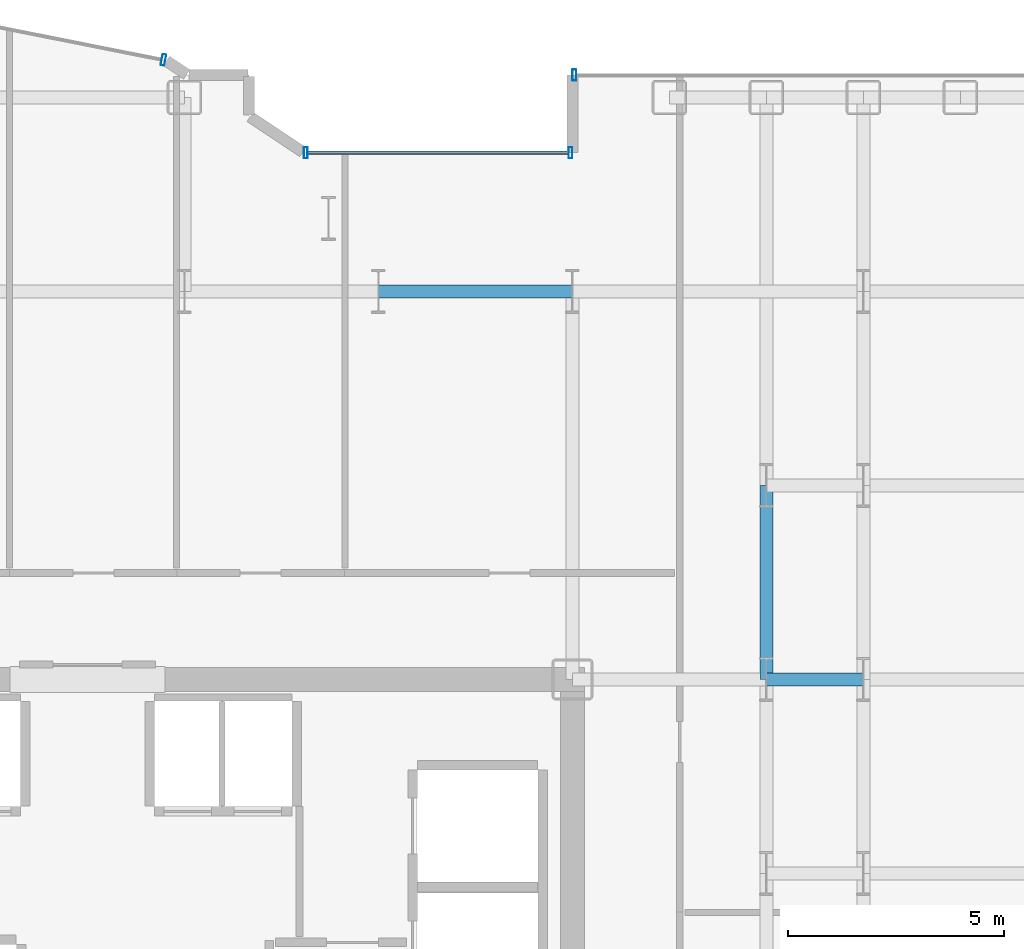
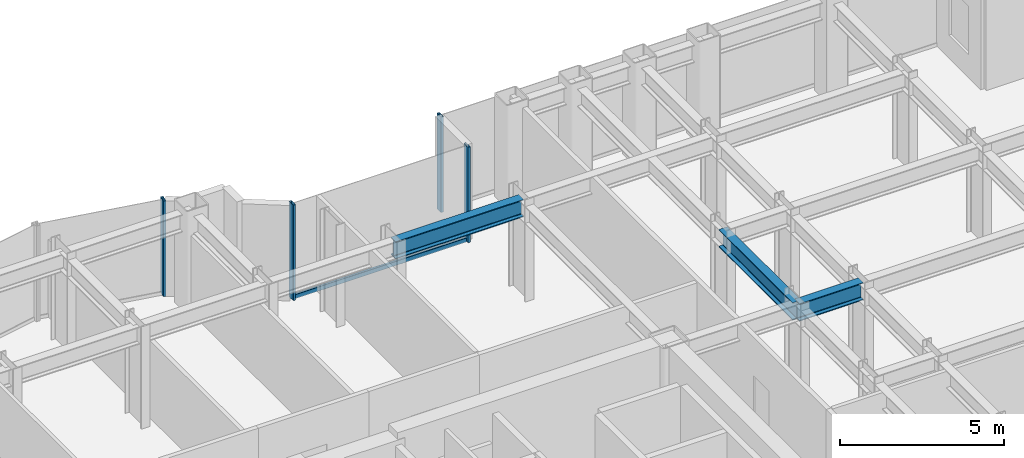
# One storey, part 12 of 25: 5 members, 3 beams, 3 elements without a shape of their own.
"""IFC4 building model written with IfcOpenShell, lengths in metres."""

from ifc_helpers import new_model, si_unit, direction, frame, origin, origin_2d, place, context, subcontext, project, spatial, hollow_rectangle, i_section, extrude, source, transform, mapped, material, layer, layer_set, material_profile, profile_set, type_object, element, aggregate, save


model = new_model("IFC4")

# Units and contexts
model_context = context("Model", 3, precision=1e-05, world=origin(), true_north=direction((0.0, 1.0)))
body_context = subcontext(model_context, "Body", "Model", "MODEL_VIEW")
ifc_project = project(units=[si_unit("LENGTHUNIT", "METRE"), si_unit("AREAUNIT", "SQUARE_METRE"), si_unit("VOLUMEUNIT", "CUBIC_METRE"), si_unit("PLANEANGLEUNIT", "RADIAN"), si_unit("MASSUNIT", "GRAM", prefix="KILO")], contexts=[model_context])

# Site, building, storey
site_placement = place(None, origin())
site = spatial("IfcSite", under=ifc_project, at=site_placement, CompositionType="ELEMENT")
building_placement = place(site_placement, origin())
building = spatial("IfcBuilding", under=site, at=building_placement, Name="Nefas-Gora Pilgrimage Tower", CompositionType="ELEMENT")
storey_placement = place(building_placement, frame((0.0, 0.0, 109.800048828125)))
storey = spatial("IfcBuildingStorey", under=building, at=storey_placement, Name="L26", CompositionType="ELEMENT", Elevation=109.800048828125)

# Beams
ifc_material_1 = material(Name="Steel S355", Category="steel")
ifc_material_profile_1 = material_profile(ifc_material_1, i_section(OverallWidth=0.300048828125, OverallDepth=0.64990234375, WebThickness=0.01611328125, FlangeThickness=0.031005859375, FilletRadius=0.027099609375, at=origin_2d()), Name="HEB 650")
ifc_profile_set_1 = profile_set([ifc_material_profile_1], Name="Steel S355")
beam_type = type_object("IfcBeamType", Name="BM-GIR-HEB650", PredefinedType="BEAM", material=ifc_profile_set_1)
shared_shape_1 = source(origin(), body_context, "Body", "SweptSolid", [
    extrude(i_section(OverallWidth=0.300048828125, OverallDepth=0.64990234375, WebThickness=0.01611328125, FlangeThickness=0.031005859375, FilletRadius=0.027099609375, at=origin_2d()), origin(), (0.0, 0.0, 1.0), 4.5),
])
for number, where, z_axis, x_axis, name in (
    (1, (6.75, 18.0, 3.224853515625), (1.0, 0.0, 0.0), (0.0, 1.0, 0.0), "L26 G-03 beam"),
    (2, (15.75, 9.0, 3.224853515625), (0.0, 1.0, 0.0), (-1.0, 0.0, 0.0), "L26 G-03 beam"),
):
    element("IfcBeam", number, at=place(storey_placement, frame(where, z_axis=z_axis, x_axis=x_axis)), inside=storey, type_object=beam_type, Name=name, PredefinedType="BEAM", context=body_context, shape_type="MappedRepresentation", body=[
        mapped(shared_shape_1, transform((0.0, 0.0, 0.0), x_axis=(1.0, 0.0, 0.0), y_axis=(0.0, 1.0, 0.0), z_axis=(0.0, 0.0, 1.0), scale=1.0)),
    ])
shared_shape_2 = source(origin(), body_context, "Body", "SweptSolid", [
    extrude(i_section(OverallWidth=0.300048828125, OverallDepth=0.64990234375, WebThickness=0.01611328125, FlangeThickness=0.031005859375, FilletRadius=0.027099609375, at=origin_2d()), origin(), (0.0, 0.0, 1.0), 2.25),
])
beam_placement = place(storey_placement, frame((15.75, 9.0, 3.224853515625), z_axis=(1.0, 0.0, 0.0), x_axis=(0.0, 1.0, 0.0)))
element("IfcBeam", 3, at=beam_placement, inside=storey, type_object=beam_type, Name="L26 G-03 beam", PredefinedType="BEAM", context=body_context, shape_type="MappedRepresentation", body=[
    mapped(shared_shape_2, transform((0.0, 0.0, 0.0), x_axis=(1.0, 0.0, 0.0), y_axis=(0.0, 1.0, 0.0), z_axis=(0.0, 0.0, 1.0), scale=1.0)),
])

# Curtain wall, members
ifc_material_2 = material(Name="Dark ceramic-fritted solar-control aluminium-glass curtain wall", Category="aluminium")
ifc_layer_1 = layer(ifc_material_2, 0.219970703125)
ifc_layer_set_1 = layer_set([ifc_layer_1], Name="Dark ceramic-fritted solar-control aluminium-glass curtain wall")
curtain_wall_type_1 = type_object("IfcCurtainWallType", Name="CW-SYS-5", PredefinedType="NOTDEFINED", material=ifc_layer_set_1)
curtain_wall_1_placement = place(storey_placement, origin())
curtain_wall_1 = element("IfcCurtainWall", 4, at=curtain_wall_1_placement, inside=storey, type_object=curtain_wall_type_1, Name="L26 Unitised Curtain Wall CW5", PredefinedType="NOTDEFINED")
ifc_material_3 = material(Name="Anodised architectural aluminium", Category="aluminium")
ifc_material_profile_2 = material_profile(ifc_material_3, hollow_rectangle(XDim=0.090087890625, YDim=0.260009765625, WallThickness=0.006103515625, InnerFilletRadius=0.006103515625, OuterFilletRadius=0.011962890625, at=origin_2d()), Name="ALU MULLION 90x260")
ifc_profile_set_2 = profile_set([ifc_material_profile_2], Name="Anodised architectural aluminium")
member_type_1 = type_object("IfcMemberType", Name="CWM-MUL-5", PredefinedType="MULLION", material=ifc_profile_set_2)
shared_shape_3 = source(origin(), body_context, "Body", "SweptSolid", [
    extrude(hollow_rectangle(XDim=0.090087890625, YDim=0.260009765625, WallThickness=0.006103515625, InnerFilletRadius=0.006103515625, OuterFilletRadius=0.011962890625, at=origin_2d()), origin(), (0.0, 0.0, 1.0), 3.550048828125),
])
member_1_placement = place(storey_placement, frame((11.205078125, 21.219970703125, 0.0), z_axis=(0.0, 0.0, 1.0), x_axis=(-1.0, 0.0, 0.0)))
member_1 = element("IfcMember", 5, at=member_1_placement, type_object=member_type_1, Name="CW5 Mullion 1", PredefinedType="MULLION", context=body_context, shape_type="MappedRepresentation", body=[
    mapped(shared_shape_3, transform((0.0, 0.0, 0.0), x_axis=(1.0, 0.0, 0.0), y_axis=(0.0, 1.0, 0.0), z_axis=(0.0, 0.0, 1.0), scale=1.0)),
])
member_2_placement = place(storey_placement, frame((5.06298828125, 21.219970703125, 0.0), z_axis=(0.0, 0.0, 1.0), x_axis=(-1.0, 0.0, 0.0)))
member_2 = element("IfcMember", 6, at=member_2_placement, type_object=member_type_1, Name="CW5 Mullion 2", PredefinedType="MULLION", context=body_context, shape_type="MappedRepresentation", body=[
    mapped(shared_shape_3, transform((0.0, 0.0, 0.0), x_axis=(1.0, 0.0, 0.0), y_axis=(0.0, 1.0, 0.0), z_axis=(0.0, 0.0, 1.0), scale=1.0)),
])

# Curtain wall, member
curtain_wall_2_placement = place(storey_placement, origin())
curtain_wall_2 = element("IfcCurtainWall", 7, at=curtain_wall_2_placement, inside=storey, type_object=curtain_wall_type_1, Name="L26 Unitised Curtain Wall CW5", PredefinedType="NOTDEFINED")
member_3_placement = place(storey_placement, frame((1.76318359375, 23.3740234375, 0.0), z_axis=(0.0, 0.0, 1.0), x_axis=(-0.980782896852, 0.195102304554, 0.0)))
member_3 = element("IfcMember", 8, at=member_3_placement, type_object=member_type_1, Name="CW5 Mullion 1", PredefinedType="MULLION", context=body_context, shape_type="MappedRepresentation", body=[
    mapped(shared_shape_3, transform((0.0, 0.0, 0.0), x_axis=(1.0, 0.0, 0.0), y_axis=(0.0, 1.0, 0.0), z_axis=(0.0, 0.0, 1.0), scale=1.0)),
])
aggregate(curtain_wall_2, [member_3])

# Member
ifc_material_profile_3 = material_profile(ifc_material_3, hollow_rectangle(XDim=0.080078125, YDim=0.159912109375, WallThickness=0.00439453125, InnerFilletRadius=0.00439453125, OuterFilletRadius=0.009033203125, at=origin_2d()), Name="ALU TRANSOM 80x160")
ifc_profile_set_3 = profile_set([ifc_material_profile_3], Name="Anodised architectural aluminium")
member_type_2 = type_object("IfcMemberType", Name="CWM-TRN-5", PredefinedType="USERDEFINED", material=ifc_profile_set_3)
shared_shape_4 = source(origin(), body_context, "Body", "SweptSolid", [
    extrude(hollow_rectangle(XDim=0.080078125, YDim=0.159912109375, WallThickness=0.00439453125, InnerFilletRadius=0.00439453125, OuterFilletRadius=0.009033203125, at=origin_2d()), origin(), (0.0, 0.0, 1.0), 6.052001953125),
])
member_4_placement = place(storey_placement, frame((11.159912109375, 21.219970703125, 0.050048828125), z_axis=(-1.0, 0.0, 0.0), x_axis=(0.0, -1.0, 0.0)))
member_4 = element("IfcMember", 9, at=member_4_placement, type_object=member_type_2, Name="CW5 Spandrel Transom", ObjectType="TRANSOM", PredefinedType="USERDEFINED", context=body_context, shape_type="MappedRepresentation", body=[
    mapped(shared_shape_4, transform((0.0, 0.0, 0.0), x_axis=(1.0, 0.0, 0.0), y_axis=(0.0, 1.0, 0.0), z_axis=(0.0, 0.0, 1.0), scale=1.0)),
])

aggregate(curtain_wall_1, [member_1, member_2, member_4])

# Curtain wall, member
ifc_layer_2 = layer(ifc_material_2, 0.219970703125)
ifc_layer_set_2 = layer_set([ifc_layer_2], Name="Dark ceramic-fritted solar-control aluminium-glass curtain wall")
curtain_wall_type_2 = type_object("IfcCurtainWallType", Name="CW-SYS-2", PredefinedType="NOTDEFINED", material=ifc_layer_set_2)
curtain_wall_3_placement = place(storey_placement, origin())
curtain_wall_3 = element("IfcCurtainWall", 10, at=curtain_wall_3_placement, inside=storey, type_object=curtain_wall_type_2, Name="L26 Unitised Curtain Wall CW2", PredefinedType="NOTDEFINED")
ifc_material_profile_4 = material_profile(ifc_material_3, hollow_rectangle(XDim=0.090087890625, YDim=0.260009765625, WallThickness=0.006103515625, InnerFilletRadius=0.006103515625, OuterFilletRadius=0.011962890625, at=origin_2d()), Name="ALU MULLION 90x260")
ifc_profile_set_4 = profile_set([ifc_material_profile_4], Name="Anodised architectural aluminium")
member_type_3 = type_object("IfcMemberType", Name="CWM-MUL-2", PredefinedType="MULLION", material=ifc_profile_set_4)
shared_shape_5 = source(origin(), body_context, "Body", "SweptSolid", [
    extrude(hollow_rectangle(XDim=0.090087890625, YDim=0.260009765625, WallThickness=0.006103515625, InnerFilletRadius=0.006103515625, OuterFilletRadius=0.011962890625, at=origin_2d()), origin(), (0.0, 0.0, 1.0), 3.550048828125),
])
member_5_placement = place(storey_placement, frame((11.294921875, 23.02001953125, 0.0), z_axis=(0.0, 0.0, 1.0), x_axis=(-1.0, 0.0, 0.0)))
member_5 = element("IfcMember", 11, at=member_5_placement, type_object=member_type_3, Name="CW2 Mullion 2", PredefinedType="MULLION", context=body_context, shape_type="MappedRepresentation", body=[
    mapped(shared_shape_5, transform((0.0, 0.0, 0.0), x_axis=(1.0, 0.0, 0.0), y_axis=(0.0, 1.0, 0.0), z_axis=(0.0, 0.0, 1.0), scale=1.0)),
])
aggregate(curtain_wall_3, [member_5])

save(model, "model.ifc")
